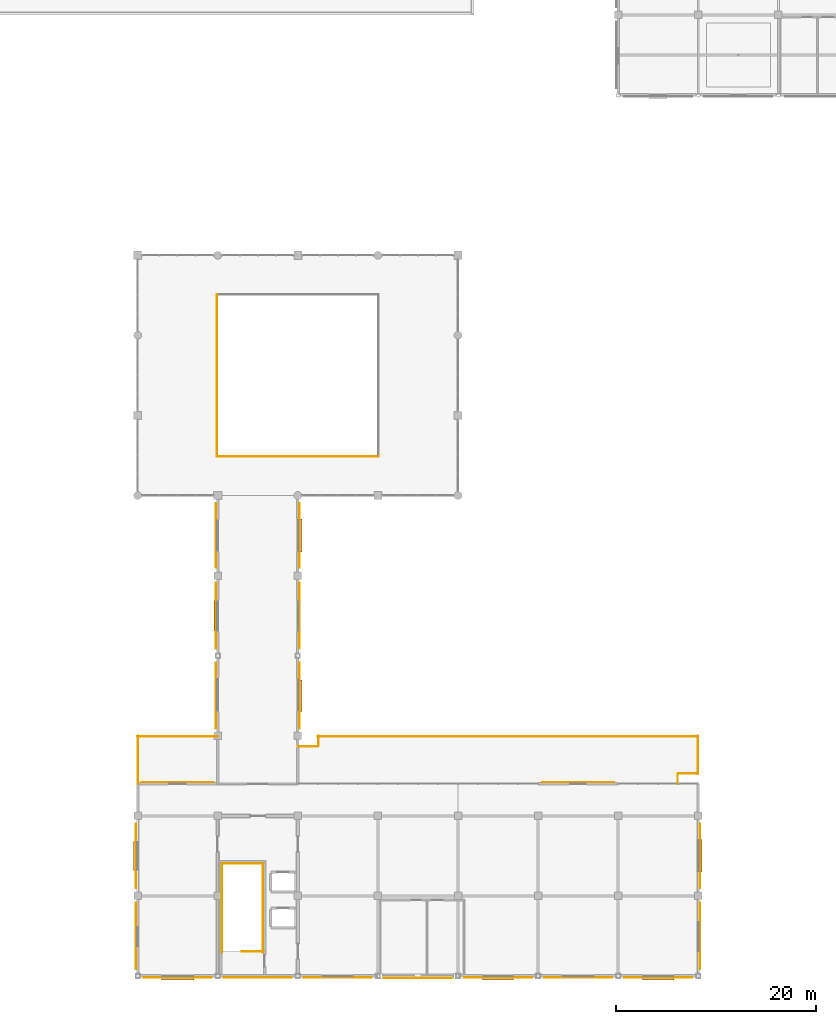
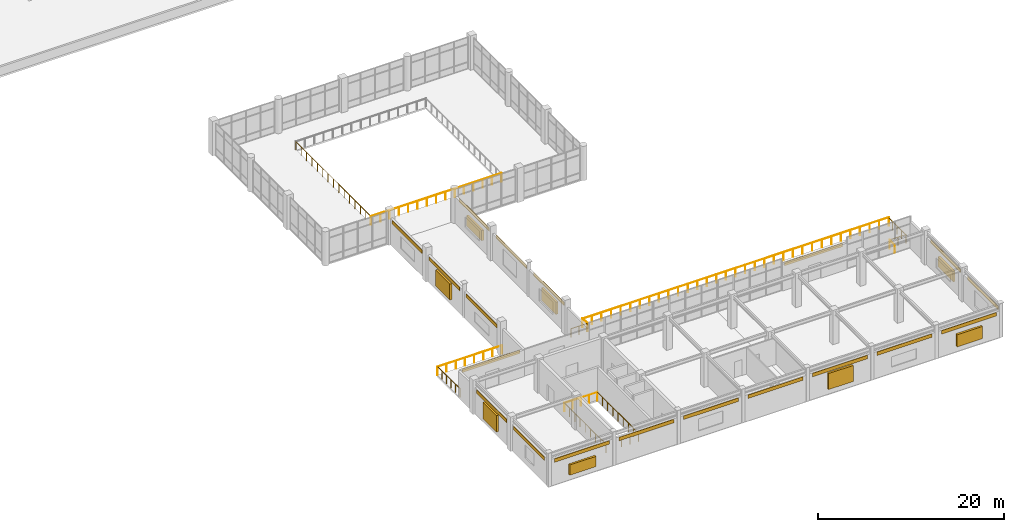
# One storey, part 38 of 42: 19 coverings, 14 railings, 8 shading devices.
"""IFC4 building model written with IfcOpenShell, lengths in metres."""

from ifc_helpers import new_model, si_unit, direction, frame, origin, origin_2d, place, context, subcontext, project, spatial, rectangle, circle, extrude, material, layer, layer_set, type_object, element, save


model = new_model("IFC4")

# Units and contexts
model_context = context("Model", 3, precision=1e-05, world=origin(), true_north=direction((0.0, 1.0)))
body_context = subcontext(model_context, "Body", "Model", "MODEL_VIEW")
ifc_project = project(units=[si_unit("LENGTHUNIT", "METRE"), si_unit("AREAUNIT", "SQUARE_METRE"), si_unit("VOLUMEUNIT", "CUBIC_METRE"), si_unit("PLANEANGLEUNIT", "RADIAN"), si_unit("MASSUNIT", "GRAM", prefix="KILO")], contexts=[model_context])

# Site, building, storey
site_placement = place(None, origin())
site = spatial("IfcSite", under=ifc_project, at=site_placement, CompositionType="ELEMENT")
building_placement = place(site_placement, origin())
building = spatial("IfcBuilding", under=site, at=building_placement, Name="Solmirada Galleria", CompositionType="ELEMENT")
storey_placement = place(building_placement, frame((0.0, 0.0, 28.39990234375)))
storey = spatial("IfcBuildingStorey", under=building, at=storey_placement, Name="L06", CompositionType="ELEMENT", Elevation=28.39990234375)

# Coverings
ifc_material_1 = material(Name="Limestone cladding panels", Category="masonry")
ifc_layer_1 = layer(ifc_material_1, 0.044921875)
ifc_layer_set_1 = layer_set([ifc_layer_1], Name="Limestone cladding panels")
covering_type_1 = type_object("IfcCoveringType", Name="COV-CLAD-LIME", PredefinedType="CLADDING", material=ifc_layer_set_1)
covering_1_placement = place(storey_placement, frame((136.157470703125, 12.0, 2.990234375), z_axis=(0.0, 0.0, 1.0), x_axis=(0.0, -1.0, 0.0)))
element("IfcCovering", 1, at=covering_1_placement, inside=storey, type_object=covering_type_1, Name="Postmodern facade cladding L06-373", PredefinedType="CLADDING", context=body_context, shape_type="SweptSolid", body=[
    extrude(rectangle(XDim=6.449951171875, YDim=0.044921875, at=origin_2d()), origin(), (0.0, 0.0, 1.0), 0.4599609375),
])
for number, where, z_axis, x_axis, name in (
    (2, (132.0, -0.157470703125, 2.990234375), (0.0, 0.0, 1.0), (-1.0, 0.0, 0.0), "Postmodern facade cladding L06-375"),
    (3, (116.0, -0.157470703125, 2.990234375), (0.0, 0.0, 1.0), (-1.0, 0.0, 0.0), "Postmodern facade cladding L06-377"),
    (4, (100.0, -0.157470703125, 2.990234375), (0.0, 0.0, 1.0), (-1.0, 0.0, 0.0), "Postmodern facade cladding L06-379"),
    (5, (84.0, -0.157470703125, 2.990234375), (0.0, 0.0, 1.0), (-1.0, 0.0, 0.0), "Postmodern facade cladding L06-381"),
):
    element("IfcCovering", number, at=place(storey_placement, frame(where, z_axis=z_axis, x_axis=x_axis)), inside=storey, type_object=covering_type_1, Name=name, PredefinedType="CLADDING", context=body_context, shape_type="SweptSolid", body=[
        extrude(rectangle(XDim=6.7939453125, YDim=0.044921875, at=origin_2d()), origin(), (0.0, 0.0, 1.0), 0.4599609375),
    ])
covering_2_placement = place(storey_placement, frame((79.842529296875, 12.0, 2.990234375), z_axis=(0.0, 0.0, 1.0), x_axis=(0.0, 1.0, 0.0)))
element("IfcCovering", 6, at=covering_2_placement, inside=storey, type_object=covering_type_1, Name="Postmodern facade cladding L06-383", PredefinedType="CLADDING", context=body_context, shape_type="SweptSolid", body=[
    extrude(rectangle(XDim=6.449951171875, YDim=0.044921875, at=origin_2d()), origin(), (0.0, 0.0, 1.0), 0.4599609375),
])
covering_3_placement = place(storey_placement, frame((84.0, 19.357421875, 2.990234375), z_axis=(0.0, 0.0, 1.0), x_axis=(1.0, 0.0, 0.0)))
element("IfcCovering", 7, at=covering_3_placement, inside=storey, type_object=covering_type_1, Name="Postmodern facade cladding L06-384", PredefinedType="CLADDING", context=body_context, shape_type="SweptSolid", body=[
    extrude(rectangle(XDim=7.199951171875, YDim=0.044921875, at=origin_2d()), origin(), (0.0, 0.0, 1.0), 0.4599609375),
])
covering_4_placement = place(storey_placement, frame((87.842529296875, 28.0, 2.990234375), z_axis=(0.0, 0.0, 1.0), x_axis=(0.0, 1.0, 0.0)))
element("IfcCovering", 8, at=covering_4_placement, inside=storey, type_object=covering_type_1, Name="Postmodern facade cladding L06-385", PredefinedType="CLADDING", context=body_context, shape_type="SweptSolid", body=[
    extrude(rectangle(XDim=6.596435546875, YDim=0.044921875, at=origin_2d()), origin(), (0.0, 0.0, 1.0), 0.4599609375),
])
for number, where, z_axis, x_axis, name in (
    (9, (87.842529296875, 44.0, 2.990234375), (0.0, 0.0, 1.0), (0.0, 1.0, 0.0), "Postmodern facade cladding L06-387"),
    (10, (96.157470703125, 44.0, 2.990234375), (0.0, 0.0, 1.0), (0.0, -1.0, 0.0), "Postmodern facade cladding L06-388"),
):
    element("IfcCovering", number, at=place(storey_placement, frame(where, z_axis=z_axis, x_axis=x_axis)), inside=storey, type_object=covering_type_1, Name=name, PredefinedType="CLADDING", context=body_context, shape_type="SweptSolid", body=[
        extrude(rectangle(XDim=6.425048828125, YDim=0.044921875, at=origin_2d()), origin(), (0.0, 0.0, 1.0), 0.4599609375),
    ])
covering_5_placement = place(storey_placement, frame((96.157470703125, 28.0, 2.990234375), z_axis=(0.0, 0.0, 1.0), x_axis=(0.0, -1.0, 0.0)))
element("IfcCovering", 11, at=covering_5_placement, inside=storey, type_object=covering_type_1, Name="Postmodern facade cladding L06-390", PredefinedType="CLADDING", context=body_context, shape_type="SweptSolid", body=[
    extrude(rectangle(XDim=6.596435546875, YDim=0.044921875, at=origin_2d()), origin(), (0.0, 0.0, 1.0), 0.4599609375),
])
ifc_material_2 = material(Name="Glazed terracotta facade panels", Category="masonry")
ifc_layer_2 = layer(ifc_material_2, 0.0400390625)
ifc_layer_set_2 = layer_set([ifc_layer_2], Name="Glazed terracotta facade panels")
covering_type_2 = type_object("IfcCoveringType", Name="COV-CLAD-TERRA", PredefinedType="CLADDING", material=ifc_layer_set_2)
covering_6_placement = place(storey_placement, frame((136.155029296875, 4.0, 2.990234375), z_axis=(0.0, 0.0, 1.0), x_axis=(0.0, -1.0, 0.0)))
element("IfcCovering", 12, at=covering_6_placement, inside=storey, type_object=covering_type_2, Name="Postmodern facade cladding L06-374", PredefinedType="CLADDING", context=body_context, shape_type="SweptSolid", body=[
    extrude(rectangle(XDim=6.6220703125, YDim=0.0400390625, at=origin_2d()), origin(), (0.0, 0.0, 1.0), 0.4599609375),
])
for number, where, z_axis, x_axis, name in (
    (13, (124.0, -0.155029296875, 2.990234375), (0.0, 0.0, 1.0), (-1.0, 0.0, 0.0), "Postmodern facade cladding L06-376"),
    (14, (108.0, -0.199951171875, 2.990234375), (0.0, 0.0, 1.0), (-1.0, 0.0, 0.0), "Postmodern facade cladding L06-378"),
    (15, (92.0, -0.155029296875, 2.990234375), (0.0, 0.0, 1.0), (-1.0, 0.0, 0.0), "Postmodern facade cladding L06-380"),
):
    element("IfcCovering", number, at=place(storey_placement, frame(where, z_axis=z_axis, x_axis=x_axis)), inside=storey, type_object=covering_type_2, Name=name, PredefinedType="CLADDING", context=body_context, shape_type="SweptSolid", body=[
        extrude(rectangle(XDim=6.7939453125, YDim=0.0400390625, at=origin_2d()), origin(), (0.0, 0.0, 1.0), 0.4599609375),
    ])
covering_7_placement = place(storey_placement, frame((79.844970703125, 4.0, 2.990234375), z_axis=(0.0, 0.0, 1.0), x_axis=(0.0, 1.0, 0.0)))
element("IfcCovering", 16, at=covering_7_placement, inside=storey, type_object=covering_type_2, Name="Postmodern facade cladding L06-382", PredefinedType="CLADDING", context=body_context, shape_type="SweptSolid", body=[
    extrude(rectangle(XDim=6.6220703125, YDim=0.0400390625, at=origin_2d()), origin(), (0.0, 0.0, 1.0), 0.4599609375),
])
for number, where, z_axis, x_axis, name in (
    (17, (87.844970703125, 36.0, 2.990234375), (0.0, 0.0, 1.0), (0.0, 1.0, 0.0), "Postmodern facade cladding L06-386"),
    (18, (96.155029296875, 36.0, 2.990234375), (0.0, 0.0, 1.0), (0.0, -1.0, 0.0), "Postmodern facade cladding L06-389"),
):
    element("IfcCovering", number, at=place(storey_placement, frame(where, z_axis=z_axis, x_axis=x_axis)), inside=storey, type_object=covering_type_2, Name=name, PredefinedType="CLADDING", context=body_context, shape_type="SweptSolid", body=[
        extrude(rectangle(XDim=6.596435546875, YDim=0.0400390625, at=origin_2d()), origin(), (0.0, 0.0, 1.0), 0.4599609375),
    ])
covering_8_placement = place(storey_placement, frame((124.0, 19.35498046875, 2.990234375), z_axis=(0.0, 0.0, 1.0), x_axis=(1.0, 0.0, 0.0)))
element("IfcCovering", 19, at=covering_8_placement, inside=storey, type_object=covering_type_2, Name="Postmodern facade cladding L06-391", PredefinedType="CLADDING", context=body_context, shape_type="SweptSolid", body=[
    extrude(rectangle(XDim=7.199951171875, YDim=0.0400390625, at=origin_2d()), origin(), (0.0, 0.0, 1.0), 0.4599609375),
])

# Railings
ifc_material_3 = material(Name="Tempered laminated glass and stainless-steel balustrade", Category="steel")
railing_type_1 = type_object("IfcRailingType", Name="RAIL-ATRIUM-BAL", PredefinedType="BALUSTRADE", material=ifc_material_3)
railing_1_placement = place(storey_placement, frame((87.919921875, 51.919921875, 0.0)))
element("IfcRailing", 20, at=railing_1_placement, inside=storey, type_object=railing_type_1, Name="Void balustrade ATRIUM L06-W1", PredefinedType="BALUSTRADE", context=body_context, shape_type="SweptSolid", body=[
    extrude(circle(Radius=0.02392578125, at=origin_2d()), frame((0.0, 0.0, 1.09619140625), z_axis=(0.0, 1.0, 0.0), x_axis=(-1.0, 0.0, 0.0)), (0.0, 0.0, 1.0), 16.16015625),
    extrude(circle(Radius=0.02099609375, at=origin_2d()), origin(), (0.0, 0.0, 1.0), 1.068115234375),
    extrude(circle(Radius=0.02099609375, at=origin_2d()), frame((0.0, 1.154296875, 0.0)), (0.0, 0.0, 1.0), 1.068115234375),
    extrude(circle(Radius=0.02099609375, at=origin_2d()), frame((0.0, 2.30859375, 0.0)), (0.0, 0.0, 1.0), 1.068115234375),
    extrude(circle(Radius=0.02099609375, at=origin_2d()), frame((0.0, 3.462890625, 0.0)), (0.0, 0.0, 1.0), 1.068115234375),
    extrude(circle(Radius=0.02099609375, at=origin_2d()), frame((0.0, 4.6171875, 0.0)), (0.0, 0.0, 1.0), 1.068115234375),
    extrude(circle(Radius=0.02099609375, at=origin_2d()), frame((0.0, 5.771484375, 0.0)), (0.0, 0.0, 1.0), 1.068115234375),
    extrude(circle(Radius=0.02099609375, at=origin_2d()), frame((0.0, 6.92578125, 0.0)), (0.0, 0.0, 1.0), 1.068115234375),
    extrude(circle(Radius=0.02099609375, at=origin_2d()), frame((0.0, 8.080078125, 0.0)), (0.0, 0.0, 1.0), 1.068115234375),
    extrude(circle(Radius=0.02099609375, at=origin_2d()), frame((0.0, 9.234375, 0.0)), (0.0, 0.0, 1.0), 1.068115234375),
    extrude(circle(Radius=0.02099609375, at=origin_2d()), frame((0.0, 10.388671875, 0.0)), (0.0, 0.0, 1.0), 1.068115234375),
    extrude(circle(Radius=0.02099609375, at=origin_2d()), frame((0.0, 11.54296875, 0.0)), (0.0, 0.0, 1.0), 1.068115234375),
    extrude(circle(Radius=0.02099609375, at=origin_2d()), frame((0.0, 12.697265625, 0.0)), (0.0, 0.0, 1.0), 1.068115234375),
    extrude(circle(Radius=0.02099609375, at=origin_2d()), frame((0.0, 13.8515625, 0.0)), (0.0, 0.0, 1.0), 1.068115234375),
    extrude(circle(Radius=0.02099609375, at=origin_2d()), frame((0.0, 15.005859375, 0.0)), (0.0, 0.0, 1.0), 1.068115234375),
    extrude(circle(Radius=0.02099609375, at=origin_2d()), frame((0.0, 16.16015625, 0.0)), (0.0, 0.0, 1.0), 1.068115234375),
])
railing_2_placement = place(storey_placement, frame((87.919921875, 51.919921875, 0.0)))
element("IfcRailing", 21, at=railing_2_placement, inside=storey, type_object=railing_type_1, Name="Void balustrade ATRIUM L06-S", PredefinedType="BALUSTRADE", context=body_context, shape_type="SweptSolid", body=[
    extrude(circle(Radius=0.02392578125, at=origin_2d()), frame((0.0, 0.0, 1.09619140625), z_axis=(1.0, 0.0, 0.0), x_axis=(0.0, 1.0, 0.0)), (0.0, 0.0, 1.0), 16.16015625),
    extrude(circle(Radius=0.02099609375, at=origin_2d()), origin(), (0.0, 0.0, 1.0), 1.068115234375),
    extrude(circle(Radius=0.02099609375, at=origin_2d()), frame((1.154296875, 0.0, 0.0)), (0.0, 0.0, 1.0), 1.068115234375),
    extrude(circle(Radius=0.02099609375, at=origin_2d()), frame((2.30859375, 0.0, 0.0)), (0.0, 0.0, 1.0), 1.068115234375),
    extrude(circle(Radius=0.02099609375, at=origin_2d()), frame((3.462890625, 0.0, 0.0)), (0.0, 0.0, 1.0), 1.068115234375),
    extrude(circle(Radius=0.02099609375, at=origin_2d()), frame((4.6171875, 0.0, 0.0)), (0.0, 0.0, 1.0), 1.068115234375),
    extrude(circle(Radius=0.02099609375, at=origin_2d()), frame((5.771484375, 0.0, 0.0)), (0.0, 0.0, 1.0), 1.068115234375),
    extrude(circle(Radius=0.02099609375, at=origin_2d()), frame((6.92578125, 0.0, 0.0)), (0.0, 0.0, 1.0), 1.068115234375),
    extrude(circle(Radius=0.02099609375, at=origin_2d()), frame((8.080078125, 0.0, 0.0)), (0.0, 0.0, 1.0), 1.068115234375),
    extrude(circle(Radius=0.02099609375, at=origin_2d()), frame((9.234375, 0.0, 0.0)), (0.0, 0.0, 1.0), 1.068115234375),
    extrude(circle(Radius=0.02099609375, at=origin_2d()), frame((10.388671875, 0.0, 0.0)), (0.0, 0.0, 1.0), 1.068115234375),
    extrude(circle(Radius=0.02099609375, at=origin_2d()), frame((11.54296875, 0.0, 0.0)), (0.0, 0.0, 1.0), 1.068115234375),
    extrude(circle(Radius=0.02099609375, at=origin_2d()), frame((12.697265625, 0.0, 0.0)), (0.0, 0.0, 1.0), 1.068115234375),
    extrude(circle(Radius=0.02099609375, at=origin_2d()), frame((13.8515625, 0.0, 0.0)), (0.0, 0.0, 1.0), 1.068115234375),
    extrude(circle(Radius=0.02099609375, at=origin_2d()), frame((15.005859375, 0.0, 0.0)), (0.0, 0.0, 1.0), 1.068115234375),
    extrude(circle(Radius=0.02099609375, at=origin_2d()), frame((16.16015625, 0.0, 0.0)), (0.0, 0.0, 1.0), 1.068115234375),
])
ifc_material_4 = material(Name="Painted steel tubular railing", Category="steel")
railing_type_2 = type_object("IfcRailingType", Name="RAIL-STAIR-GUARD", PredefinedType="GUARDRAIL", material=ifc_material_4)
railing_3_placement = place(storey_placement, frame((92.550048828125, 2.449951171875, 0.0)))
element("IfcRailing", 22, at=railing_3_placement, inside=storey, type_object=railing_type_2, Name="L06 ST2 top well guard 1", PredefinedType="GUARDRAIL", context=body_context, shape_type="SweptSolid", body=[
    extrude(circle(Radius=0.02392578125, at=origin_2d()), frame((0.0, 0.0, 1.076171875), z_axis=(-1.0, 0.0, 0.0), x_axis=(0.0, -1.0, 0.0)), (0.0, 0.0, 1.0), 2.150146484375),
    extrude(circle(Radius=0.02099609375, at=origin_2d()), origin(), (0.0, 0.0, 1.0), 1.048095703125),
    extrude(circle(Radius=0.02099609375, at=origin_2d()), frame((-1.0751953125, 0.0, 0.0)), (0.0, 0.0, 1.0), 1.048095703125),
    extrude(circle(Radius=0.02099609375, at=origin_2d()), frame((-2.150146484375, 0.0, 0.0)), (0.0, 0.0, 1.0), 1.048095703125),
])
railing_4_placement = place(storey_placement, frame((88.43994140625, 2.35009765625, 0.0)))
element("IfcRailing", 23, at=railing_4_placement, inside=storey, type_object=railing_type_2, Name="Stair ST2 well edge guard L06-1", PredefinedType="GUARDRAIL", context=body_context, shape_type="SweptSolid", body=[
    extrude(circle(Radius=0.02392578125, at=origin_2d()), frame((0.0, 0.0, 1.09619140625), z_axis=(0.0, 1.0, 0.0), x_axis=(-1.0, 0.0, 0.0)), (0.0, 0.0, 1.0), 8.909912109375),
    extrude(circle(Radius=0.02099609375, at=origin_2d()), origin(), (0.0, 0.0, 1.0), 1.068115234375),
    extrude(circle(Radius=0.02099609375, at=origin_2d()), frame((0.0, 1.11376953125, 0.0)), (0.0, 0.0, 1.0), 1.068115234375),
    extrude(circle(Radius=0.02099609375, at=origin_2d()), frame((0.0, 2.2275390625, 0.0)), (0.0, 0.0, 1.0), 1.068115234375),
    extrude(circle(Radius=0.02099609375, at=origin_2d()), frame((0.0, 3.34130859375, 0.0)), (0.0, 0.0, 1.0), 1.068115234375),
    extrude(circle(Radius=0.02099609375, at=origin_2d()), frame((0.0, 4.455078125, 0.0)), (0.0, 0.0, 1.0), 1.068115234375),
    extrude(circle(Radius=0.02099609375, at=origin_2d()), frame((0.0, 5.568603515625, 0.0)), (0.0, 0.0, 1.0), 1.068115234375),
    extrude(circle(Radius=0.02099609375, at=origin_2d()), frame((0.0, 6.682373046875, 0.0)), (0.0, 0.0, 1.0), 1.068115234375),
    extrude(circle(Radius=0.02099609375, at=origin_2d()), frame((0.0, 7.796142578125, 0.0)), (0.0, 0.0, 1.0), 1.068115234375),
    extrude(circle(Radius=0.02099609375, at=origin_2d()), frame((0.0, 8.909912109375, 0.0)), (0.0, 0.0, 1.0), 1.068115234375),
])
railing_5_placement = place(storey_placement, frame((88.43994140625, 11.260009765625, 0.0)))
element("IfcRailing", 24, at=railing_5_placement, inside=storey, type_object=railing_type_2, Name="Stair ST2 well edge guard L06-2", PredefinedType="GUARDRAIL", context=body_context, shape_type="SweptSolid", body=[
    extrude(circle(Radius=0.02392578125, at=origin_2d()), frame((0.0, 0.0, 1.09619140625), z_axis=(1.0, 0.0, 0.0), x_axis=(0.0, 1.0, 0.0)), (0.0, 0.0, 1.0), 4.070068359375),
    extrude(circle(Radius=0.02099609375, at=origin_2d()), origin(), (0.0, 0.0, 1.0), 1.068115234375),
    extrude(circle(Radius=0.02099609375, at=origin_2d()), frame((1.017578125, 0.0, 0.0)), (0.0, 0.0, 1.0), 1.068115234375),
    extrude(circle(Radius=0.02099609375, at=origin_2d()), frame((2.03515625, 0.0, 0.0)), (0.0, 0.0, 1.0), 1.068115234375),
    extrude(circle(Radius=0.02099609375, at=origin_2d()), frame((3.052490234375, 0.0, 0.0)), (0.0, 0.0, 1.0), 1.068115234375),
    extrude(circle(Radius=0.02099609375, at=origin_2d()), frame((4.070068359375, 0.0, 0.0)), (0.0, 0.0, 1.0), 1.068115234375),
])
railing_6_placement = place(storey_placement, frame((92.510009765625, 11.260009765625, 0.0)))
element("IfcRailing", 25, at=railing_6_placement, inside=storey, type_object=railing_type_2, Name="Stair ST2 well edge guard L06-3", PredefinedType="GUARDRAIL", context=body_context, shape_type="SweptSolid", body=[
    extrude(circle(Radius=0.02392578125, at=origin_2d()), frame((0.0, 0.0, 1.09619140625), z_axis=(0.0, -1.0, 0.0), x_axis=(1.0, 0.0, 0.0)), (0.0, 0.0, 1.0), 8.909912109375),
    extrude(circle(Radius=0.02099609375, at=origin_2d()), origin(), (0.0, 0.0, 1.0), 1.068115234375),
    extrude(circle(Radius=0.02099609375, at=origin_2d()), frame((0.0, -1.11376953125, 0.0)), (0.0, 0.0, 1.0), 1.068115234375),
    extrude(circle(Radius=0.02099609375, at=origin_2d()), frame((0.0, -2.2275390625, 0.0)), (0.0, 0.0, 1.0), 1.068115234375),
    extrude(circle(Radius=0.02099609375, at=origin_2d()), frame((0.0, -3.34130859375, 0.0)), (0.0, 0.0, 1.0), 1.068115234375),
    extrude(circle(Radius=0.02099609375, at=origin_2d()), frame((0.0, -4.455078125, 0.0)), (0.0, 0.0, 1.0), 1.068115234375),
    extrude(circle(Radius=0.02099609375, at=origin_2d()), frame((0.0, -5.568603515625, 0.0)), (0.0, 0.0, 1.0), 1.068115234375),
    extrude(circle(Radius=0.02099609375, at=origin_2d()), frame((0.0, -6.682373046875, 0.0)), (0.0, 0.0, 1.0), 1.068115234375),
    extrude(circle(Radius=0.02099609375, at=origin_2d()), frame((0.0, -7.796142578125, 0.0)), (0.0, 0.0, 1.0), 1.068115234375),
    extrude(circle(Radius=0.02099609375, at=origin_2d()), frame((0.0, -8.909912109375, 0.0)), (0.0, 0.0, 1.0), 1.068115234375),
])
ifc_material_5 = material(Name="Painted galvanized steel balustrade", Category="steel")
railing_type_3 = type_object("IfcRailingType", Name="RAIL-TERR-1100", PredefinedType="GUARDRAIL", material=ifc_material_5)
railing_7_placement = place(storey_placement, frame((88.0, 23.949951171875, 0.0)))
element("IfcRailing", 26, at=railing_7_placement, inside=storey, type_object=railing_type_3, Name="Terrace guardrail L06-TERR-SW E3.1", PredefinedType="GUARDRAIL", context=body_context, shape_type="SweptSolid", body=[
    extrude(circle(Radius=0.02392578125, at=origin_2d()), frame((0.0, 0.0, 1.09619140625), z_axis=(-1.0, 0.0, 0.0), x_axis=(0.0, -1.0, 0.0)), (0.0, 0.0, 1.0), 8.0),
    extrude(circle(Radius=0.02099609375, at=origin_2d()), origin(), (0.0, 0.0, 1.0), 1.068115234375),
    extrude(circle(Radius=0.02099609375, at=origin_2d()), frame((-1.142822265625, 0.0, 0.0)), (0.0, 0.0, 1.0), 1.068115234375),
    extrude(circle(Radius=0.02099609375, at=origin_2d()), frame((-2.28564453125, 0.0, 0.0)), (0.0, 0.0, 1.0), 1.068115234375),
    extrude(circle(Radius=0.02099609375, at=origin_2d()), frame((-3.428466796875, 0.0, 0.0)), (0.0, 0.0, 1.0), 1.068115234375),
    extrude(circle(Radius=0.02099609375, at=origin_2d()), frame((-4.571533203125, 0.0, 0.0)), (0.0, 0.0, 1.0), 1.068115234375),
    extrude(circle(Radius=0.02099609375, at=origin_2d()), frame((-5.71435546875, 0.0, 0.0)), (0.0, 0.0, 1.0), 1.068115234375),
    extrude(circle(Radius=0.02099609375, at=origin_2d()), frame((-6.857177734375, 0.0, 0.0)), (0.0, 0.0, 1.0), 1.068115234375),
    extrude(circle(Radius=0.02099609375, at=origin_2d()), frame((-8.0, 0.0, 0.0)), (0.0, 0.0, 1.0), 1.068115234375),
])
railing_8_placement = place(storey_placement, frame((80.050048828125, 24.0, 0.0)))
element("IfcRailing", 27, at=railing_8_placement, inside=storey, type_object=railing_type_3, Name="Terrace guardrail L06-TERR-SW E4.1", PredefinedType="GUARDRAIL", context=body_context, shape_type="SweptSolid", body=[
    extrude(circle(Radius=0.02392578125, at=origin_2d()), frame((0.0, 0.0, 1.09619140625), z_axis=(0.0, -1.0, 0.0), x_axis=(1.0, 0.0, 0.0)), (0.0, 0.0, 1.0), 4.800048828125),
    extrude(circle(Radius=0.02099609375, at=origin_2d()), origin(), (0.0, 0.0, 1.0), 1.068115234375),
    extrude(circle(Radius=0.02099609375, at=origin_2d()), frame((0.0, -0.9599609375, 0.0)), (0.0, 0.0, 1.0), 1.068115234375),
    extrude(circle(Radius=0.02099609375, at=origin_2d()), frame((0.0, -1.919921875, 0.0)), (0.0, 0.0, 1.0), 1.068115234375),
    extrude(circle(Radius=0.02099609375, at=origin_2d()), frame((0.0, -2.880126953125, 0.0)), (0.0, 0.0, 1.0), 1.068115234375),
    extrude(circle(Radius=0.02099609375, at=origin_2d()), frame((0.0, -3.840087890625, 0.0)), (0.0, 0.0, 1.0), 1.068115234375),
    extrude(circle(Radius=0.02099609375, at=origin_2d()), frame((0.0, -4.800048828125, 0.0)), (0.0, 0.0, 1.0), 1.068115234375),
])
railing_9_placement = place(storey_placement, frame((133.949951171875, 19.199951171875, 0.0)))
element("IfcRailing", 28, at=railing_9_placement, inside=storey, type_object=railing_type_3, Name="Terrace guardrail L06-TERR-SE E2.1", PredefinedType="GUARDRAIL", context=body_context, shape_type="SweptSolid", body=[
    extrude(circle(Radius=0.02392578125, at=origin_2d()), frame((0.0, 0.0, 1.09619140625), z_axis=(0.0, 1.0, 0.0), x_axis=(-1.0, 0.0, 0.0)), (0.0, 0.0, 1.0), 1.0),
    extrude(circle(Radius=0.02099609375, at=origin_2d()), origin(), (0.0, 0.0, 1.0), 1.068115234375),
    extrude(circle(Radius=0.02099609375, at=origin_2d()), frame((0.0, 1.0, 0.0)), (0.0, 0.0, 1.0), 1.068115234375),
])
railing_10_placement = place(storey_placement, frame((134.0, 20.25, 0.0)))
element("IfcRailing", 29, at=railing_10_placement, inside=storey, type_object=railing_type_3, Name="Terrace guardrail L06-TERR-SE E3.1", PredefinedType="GUARDRAIL", context=body_context, shape_type="SweptSolid", body=[
    extrude(circle(Radius=0.02392578125, at=origin_2d()), frame((0.0, 0.0, 1.09619140625), z_axis=(1.0, 0.0, 0.0), x_axis=(0.0, 1.0, 0.0)), (0.0, 0.0, 1.0), 2.0),
    extrude(circle(Radius=0.02099609375, at=origin_2d()), origin(), (0.0, 0.0, 1.0), 1.068115234375),
    extrude(circle(Radius=0.02099609375, at=origin_2d()), frame((1.0, 0.0, 0.0)), (0.0, 0.0, 1.0), 1.068115234375),
    extrude(circle(Radius=0.02099609375, at=origin_2d()), frame((2.0, 0.0, 0.0)), (0.0, 0.0, 1.0), 1.068115234375),
])
railing_11_placement = place(storey_placement, frame((135.949951171875, 20.199951171875, 0.0)))
element("IfcRailing", 30, at=railing_11_placement, inside=storey, type_object=railing_type_3, Name="Terrace guardrail L06-TERR-SE E4.1", PredefinedType="GUARDRAIL", context=body_context, shape_type="SweptSolid", body=[
    extrude(circle(Radius=0.02392578125, at=origin_2d()), frame((0.0, 0.0, 1.09619140625), z_axis=(0.0, 1.0, 0.0), x_axis=(-1.0, 0.0, 0.0)), (0.0, 0.0, 1.0), 3.800048828125),
    extrude(circle(Radius=0.02099609375, at=origin_2d()), origin(), (0.0, 0.0, 1.0), 1.068115234375),
    extrude(circle(Radius=0.02099609375, at=origin_2d()), frame((0.0, 0.949951171875, 0.0)), (0.0, 0.0, 1.0), 1.068115234375),
    extrude(circle(Radius=0.02099609375, at=origin_2d()), frame((0.0, 1.89990234375, 0.0)), (0.0, 0.0, 1.0), 1.068115234375),
    extrude(circle(Radius=0.02099609375, at=origin_2d()), frame((0.0, 2.85009765625, 0.0)), (0.0, 0.0, 1.0), 1.068115234375),
    extrude(circle(Radius=0.02099609375, at=origin_2d()), frame((0.0, 3.800048828125, 0.0)), (0.0, 0.0, 1.0), 1.068115234375),
])
railing_12_placement = place(storey_placement, frame((136.0, 23.949951171875, 0.0)))
element("IfcRailing", 31, at=railing_12_placement, inside=storey, type_object=railing_type_3, Name="Terrace guardrail L06-TERR-SE E5.1", PredefinedType="GUARDRAIL", context=body_context, shape_type="SweptSolid", body=[
    extrude(circle(Radius=0.02392578125, at=origin_2d()), frame((0.0, 0.0, 1.09619140625), z_axis=(-1.0, 0.0, 0.0), x_axis=(0.0, -1.0, 0.0)), (0.0, 0.0, 1.0), 38.0),
    extrude(circle(Radius=0.02099609375, at=origin_2d()), origin(), (0.0, 0.0, 1.0), 1.068115234375),
    extrude(circle(Radius=0.02099609375, at=origin_2d()), frame((-1.1875, 0.0, 0.0)), (0.0, 0.0, 1.0), 1.068115234375),
    extrude(circle(Radius=0.02099609375, at=origin_2d()), frame((-2.375, 0.0, 0.0)), (0.0, 0.0, 1.0), 1.068115234375),
    extrude(circle(Radius=0.02099609375, at=origin_2d()), frame((-3.5625, 0.0, 0.0)), (0.0, 0.0, 1.0), 1.068115234375),
    extrude(circle(Radius=0.02099609375, at=origin_2d()), frame((-4.75, 0.0, 0.0)), (0.0, 0.0, 1.0), 1.068115234375),
    extrude(circle(Radius=0.02099609375, at=origin_2d()), frame((-5.9375, 0.0, 0.0)), (0.0, 0.0, 1.0), 1.068115234375),
    extrude(circle(Radius=0.02099609375, at=origin_2d()), frame((-7.125, 0.0, 0.0)), (0.0, 0.0, 1.0), 1.068115234375),
    extrude(circle(Radius=0.02099609375, at=origin_2d()), frame((-8.3125, 0.0, 0.0)), (0.0, 0.0, 1.0), 1.068115234375),
    extrude(circle(Radius=0.02099609375, at=origin_2d()), frame((-9.5, 0.0, 0.0)), (0.0, 0.0, 1.0), 1.068115234375),
    extrude(circle(Radius=0.02099609375, at=origin_2d()), frame((-10.6875, 0.0, 0.0)), (0.0, 0.0, 1.0), 1.068115234375),
    extrude(circle(Radius=0.02099609375, at=origin_2d()), frame((-11.875, 0.0, 0.0)), (0.0, 0.0, 1.0), 1.068115234375),
    extrude(circle(Radius=0.02099609375, at=origin_2d()), frame((-13.0625, 0.0, 0.0)), (0.0, 0.0, 1.0), 1.068115234375),
    extrude(circle(Radius=0.02099609375, at=origin_2d()), frame((-14.25, 0.0, 0.0)), (0.0, 0.0, 1.0), 1.068115234375),
    extrude(circle(Radius=0.02099609375, at=origin_2d()), frame((-15.4375, 0.0, 0.0)), (0.0, 0.0, 1.0), 1.068115234375),
    extrude(circle(Radius=0.02099609375, at=origin_2d()), frame((-16.625, 0.0, 0.0)), (0.0, 0.0, 1.0), 1.068115234375),
    extrude(circle(Radius=0.02099609375, at=origin_2d()), frame((-17.8125, 0.0, 0.0)), (0.0, 0.0, 1.0), 1.068115234375),
    extrude(circle(Radius=0.02099609375, at=origin_2d()), frame((-19.0, 0.0, 0.0)), (0.0, 0.0, 1.0), 1.068115234375),
    extrude(circle(Radius=0.02099609375, at=origin_2d()), frame((-20.1875, 0.0, 0.0)), (0.0, 0.0, 1.0), 1.068115234375),
    extrude(circle(Radius=0.02099609375, at=origin_2d()), frame((-21.375, 0.0, 0.0)), (0.0, 0.0, 1.0), 1.068115234375),
    extrude(circle(Radius=0.02099609375, at=origin_2d()), frame((-22.5625, 0.0, 0.0)), (0.0, 0.0, 1.0), 1.068115234375),
    extrude(circle(Radius=0.02099609375, at=origin_2d()), frame((-23.75, 0.0, 0.0)), (0.0, 0.0, 1.0), 1.068115234375),
    extrude(circle(Radius=0.02099609375, at=origin_2d()), frame((-24.9375, 0.0, 0.0)), (0.0, 0.0, 1.0), 1.068115234375),
    extrude(circle(Radius=0.02099609375, at=origin_2d()), frame((-26.125, 0.0, 0.0)), (0.0, 0.0, 1.0), 1.068115234375),
    extrude(circle(Radius=0.02099609375, at=origin_2d()), frame((-27.3125, 0.0, 0.0)), (0.0, 0.0, 1.0), 1.068115234375),
    extrude(circle(Radius=0.02099609375, at=origin_2d()), frame((-28.5, 0.0, 0.0)), (0.0, 0.0, 1.0), 1.068115234375),
    extrude(circle(Radius=0.02099609375, at=origin_2d()), frame((-29.6875, 0.0, 0.0)), (0.0, 0.0, 1.0), 1.068115234375),
    extrude(circle(Radius=0.02099609375, at=origin_2d()), frame((-30.875, 0.0, 0.0)), (0.0, 0.0, 1.0), 1.068115234375),
    extrude(circle(Radius=0.02099609375, at=origin_2d()), frame((-32.0625, 0.0, 0.0)), (0.0, 0.0, 1.0), 1.068115234375),
    extrude(circle(Radius=0.02099609375, at=origin_2d()), frame((-33.25, 0.0, 0.0)), (0.0, 0.0, 1.0), 1.068115234375),
    extrude(circle(Radius=0.02099609375, at=origin_2d()), frame((-34.4375, 0.0, 0.0)), (0.0, 0.0, 1.0), 1.068115234375),
    extrude(circle(Radius=0.02099609375, at=origin_2d()), frame((-35.625, 0.0, 0.0)), (0.0, 0.0, 1.0), 1.068115234375),
    extrude(circle(Radius=0.02099609375, at=origin_2d()), frame((-36.8125, 0.0, 0.0)), (0.0, 0.0, 1.0), 1.068115234375),
    extrude(circle(Radius=0.02099609375, at=origin_2d()), frame((-38.0, 0.0, 0.0)), (0.0, 0.0, 1.0), 1.068115234375),
])
railing_13_placement = place(storey_placement, frame((98.050048828125, 24.0, 0.0)))
element("IfcRailing", 32, at=railing_13_placement, inside=storey, type_object=railing_type_3, Name="Terrace guardrail L06-TERR-SE E6.1", PredefinedType="GUARDRAIL", context=body_context, shape_type="SweptSolid", body=[
    extrude(circle(Radius=0.02392578125, at=origin_2d()), frame((0.0, 0.0, 1.09619140625), z_axis=(0.0, -1.0, 0.0), x_axis=(1.0, 0.0, 0.0)), (0.0, 0.0, 1.0), 1.0),
    extrude(circle(Radius=0.02099609375, at=origin_2d()), origin(), (0.0, 0.0, 1.0), 1.068115234375),
    extrude(circle(Radius=0.02099609375, at=origin_2d()), frame((0.0, -1.0, 0.0)), (0.0, 0.0, 1.0), 1.068115234375),
])
railing_14_placement = place(storey_placement, frame((98.0, 22.949951171875, 0.0)))
element("IfcRailing", 33, at=railing_14_placement, inside=storey, type_object=railing_type_3, Name="Terrace guardrail L06-TERR-SE E7.1", PredefinedType="GUARDRAIL", context=body_context, shape_type="SweptSolid", body=[
    extrude(circle(Radius=0.02392578125, at=origin_2d()), frame((0.0, 0.0, 1.09619140625), z_axis=(-1.0, 0.0, 0.0), x_axis=(0.0, -1.0, 0.0)), (0.0, 0.0, 1.0), 2.0),
    extrude(circle(Radius=0.02099609375, at=origin_2d()), origin(), (0.0, 0.0, 1.0), 1.068115234375),
    extrude(circle(Radius=0.02099609375, at=origin_2d()), frame((-1.0, 0.0, 0.0)), (0.0, 0.0, 1.0), 1.068115234375),
    extrude(circle(Radius=0.02099609375, at=origin_2d()), frame((-2.0, 0.0, 0.0)), (0.0, 0.0, 1.0), 1.068115234375),
])

# Shading devices
ifc_material_6 = material(Name="Extruded aluminium storm louvres", Category="aluminium")
shading_device_type = type_object("IfcShadingDeviceType", Name="SHD-JALOUSIE", PredefinedType="JALOUSIE", material=ifc_material_6)
shading_device_1_placement = place(storey_placement, frame((136.264892578125, 12.0, 0.800048828125), z_axis=(0.0, 0.0, 1.0), x_axis=(0.0, -1.0, 0.0)))
element("IfcShadingDevice", 34, at=shading_device_1_placement, inside=storey, type_object=shading_device_type, Name="Hurricane storm jalousie louvre 105", PredefinedType="JALOUSIE", context=body_context, shape_type="SweptSolid", body=[
    extrude(rectangle(XDim=3.260009765625, YDim=0.260009765625, at=origin_2d()), origin(), (0.0, 0.0, 1.0), 1.35009765625),
])
shading_device_2_placement = place(storey_placement, frame((132.0, -0.264892578125, 0.800048828125), z_axis=(0.0, 0.0, 1.0), x_axis=(-1.0, 0.0, 0.0)))
element("IfcShadingDevice", 35, at=shading_device_2_placement, inside=storey, type_object=shading_device_type, Name="Hurricane storm jalousie louvre 106", PredefinedType="JALOUSIE", context=body_context, shape_type="SweptSolid", body=[
    extrude(rectangle(XDim=3.159912109375, YDim=0.260009765625, at=origin_2d()), origin(), (0.0, 0.0, 1.0), 1.60009765625),
])
shading_device_3_placement = place(storey_placement, frame((116.0, -0.264892578125, 0.800048828125), z_axis=(0.0, 0.0, 1.0), x_axis=(-1.0, 0.0, 0.0)))
element("IfcShadingDevice", 36, at=shading_device_3_placement, inside=storey, type_object=shading_device_type, Name="Hurricane storm jalousie louvre 107", PredefinedType="JALOUSIE", context=body_context, shape_type="SweptSolid", body=[
    extrude(rectangle(XDim=3.06005859375, YDim=0.260009765625, at=origin_2d()), origin(), (0.0, 0.0, 1.0), 2.10009765625),
])
shading_device_4_placement = place(storey_placement, frame((84.0, -0.264892578125, 0.800048828125), z_axis=(0.0, 0.0, 1.0), x_axis=(-1.0, 0.0, 0.0)))
element("IfcShadingDevice", 37, at=shading_device_4_placement, inside=storey, type_object=shading_device_type, Name="Hurricane storm jalousie louvre 108", PredefinedType="JALOUSIE", context=body_context, shape_type="SweptSolid", body=[
    extrude(rectangle(XDim=3.260009765625, YDim=0.260009765625, at=origin_2d()), origin(), (0.0, 0.0, 1.0), 1.35009765625),
])
shading_device_5_placement = place(storey_placement, frame((79.735107421875, 12.0, 0.800048828125), z_axis=(0.0, 0.0, 1.0), x_axis=(0.0, 1.0, 0.0)))
element("IfcShadingDevice", 38, at=shading_device_5_placement, inside=storey, type_object=shading_device_type, Name="Hurricane storm jalousie louvre 109", PredefinedType="JALOUSIE", context=body_context, shape_type="SweptSolid", body=[
    extrude(rectangle(XDim=2.909912109375, YDim=0.260009765625, at=origin_2d()), origin(), (0.0, 0.0, 1.0), 2.14990234375),
])
shading_device_6_placement = place(storey_placement, frame((87.735107421875, 36.0, 0.800048828125), z_axis=(0.0, 0.0, 1.0), x_axis=(0.0, 1.0, 0.0)))
element("IfcShadingDevice", 39, at=shading_device_6_placement, inside=storey, type_object=shading_device_type, Name="Hurricane storm jalousie louvre 110", PredefinedType="JALOUSIE", context=body_context, shape_type="SweptSolid", body=[
    extrude(rectangle(XDim=3.06005859375, YDim=0.260009765625, at=origin_2d()), origin(), (0.0, 0.0, 1.0), 2.10009765625),
])
shading_device_7_placement = place(storey_placement, frame((96.264892578125, 44.0, 0.800048828125), z_axis=(0.0, 0.0, 1.0), x_axis=(0.0, -1.0, 0.0)))
element("IfcShadingDevice", 40, at=shading_device_7_placement, inside=storey, type_object=shading_device_type, Name="Hurricane storm jalousie louvre 111", PredefinedType="JALOUSIE", context=body_context, shape_type="SweptSolid", body=[
    extrude(rectangle(XDim=3.260009765625, YDim=0.260009765625, at=origin_2d()), origin(), (0.0, 0.0, 1.0), 1.35009765625),
])
shading_device_8_placement = place(storey_placement, frame((96.264892578125, 28.0, 0.800048828125), z_axis=(0.0, 0.0, 1.0), x_axis=(0.0, -1.0, 0.0)))
element("IfcShadingDevice", 41, at=shading_device_8_placement, inside=storey, type_object=shading_device_type, Name="Hurricane storm jalousie louvre 112", PredefinedType="JALOUSIE", context=body_context, shape_type="SweptSolid", body=[
    extrude(rectangle(XDim=3.159912109375, YDim=0.260009765625, at=origin_2d()), origin(), (0.0, 0.0, 1.0), 1.60009765625),
])

save(model, "model.ifc")
